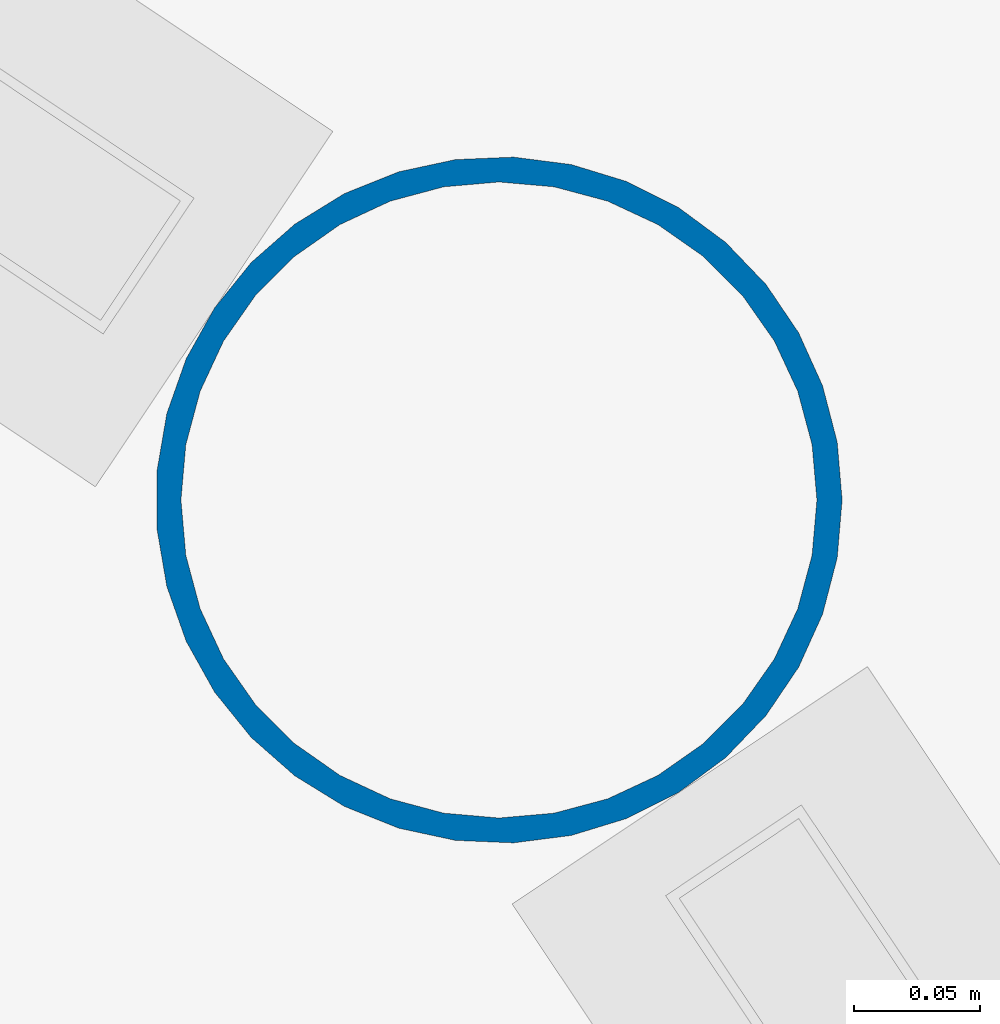
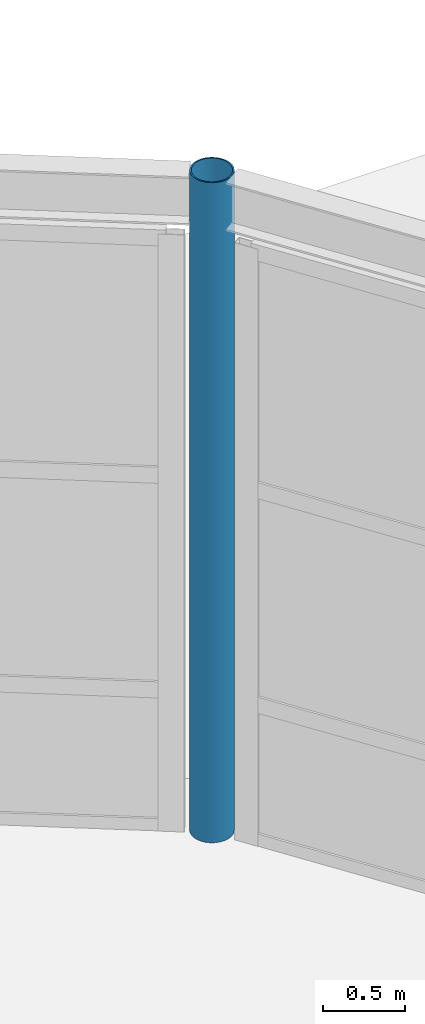
# One storey, part 8 of 57: 1 column.
"""IFC4 building model written with IfcOpenShell, lengths in metres."""

from ifc_helpers import new_model, si_unit, direction, frame, origin, origin_2d, place, context, subcontext, project, spatial, hollow_circle, extrude, material, material_profile, profile_set, type_object, element, save


model = new_model("IFC4")

# Units and contexts
model_context = context("Model", 3, precision=1e-05, world=origin(), true_north=direction((0.0, 1.0)))
body_context = subcontext(model_context, "Body", "Model", "MODEL_VIEW")
ifc_project = project(units=[si_unit("LENGTHUNIT", "METRE"), si_unit("AREAUNIT", "SQUARE_METRE"), si_unit("VOLUMEUNIT", "CUBIC_METRE"), si_unit("PLANEANGLEUNIT", "RADIAN"), si_unit("MASSUNIT", "GRAM", prefix="KILO")], contexts=[model_context])

# Site, building, storey
site_placement = place(None, origin())
site = spatial("IfcSite", under=ifc_project, at=site_placement, CompositionType="ELEMENT")
building_placement = place(site_placement, origin())
building = spatial("IfcBuilding", under=site, at=building_placement, Name="Kharisveld Research Institute", CompositionType="ELEMENT")
storey_placement = place(building_placement, origin())
storey = spatial("IfcBuildingStorey", under=building, at=storey_placement, Name="L00", CompositionType="ELEMENT", Elevation=0.0)

# Column
ifc_material = material(Name="Steel S355J2H", Category="steel")
ifc_material_profile = material_profile(ifc_material, hollow_circle(Radius=0.136474609375, WallThickness=0.010009765625, at=origin_2d()))
ifc_profile_set = profile_set([ifc_material_profile], Name="Steel S355J2H")
column_type = type_object("IfcColumnType", Name="COL_ST_CHS273", PredefinedType="COLUMN", material=ifc_profile_set)
column_placement = place(storey_placement, frame((66.323486328125, 57.62353515625, 0.0), z_axis=(0.0, 0.0, 1.0), x_axis=(1.0, 0.0, 0.0)))
element("IfcColumn", 1, at=column_placement, inside=storey, type_object=column_type, Name="COL:V6:L00:R02", PredefinedType="COLUMN", context=body_context, shape_type="SweptSolid", body=[
    extrude(hollow_circle(Radius=0.136474609375, WallThickness=0.010009765625, at=origin_2d()), origin(), (0.0, 0.0, 1.0), 4.919921875),
])

save(model, "model.ifc")
